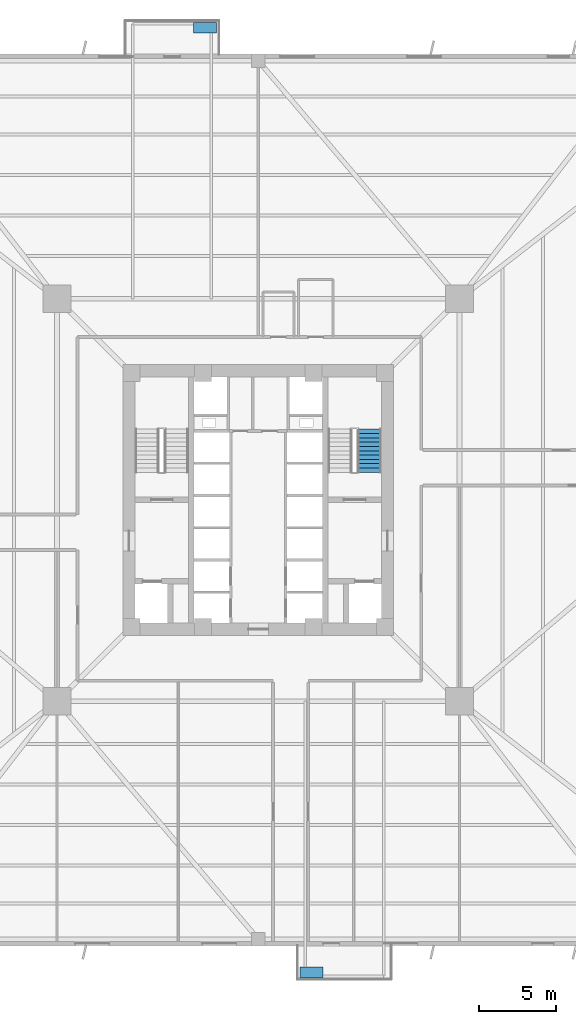
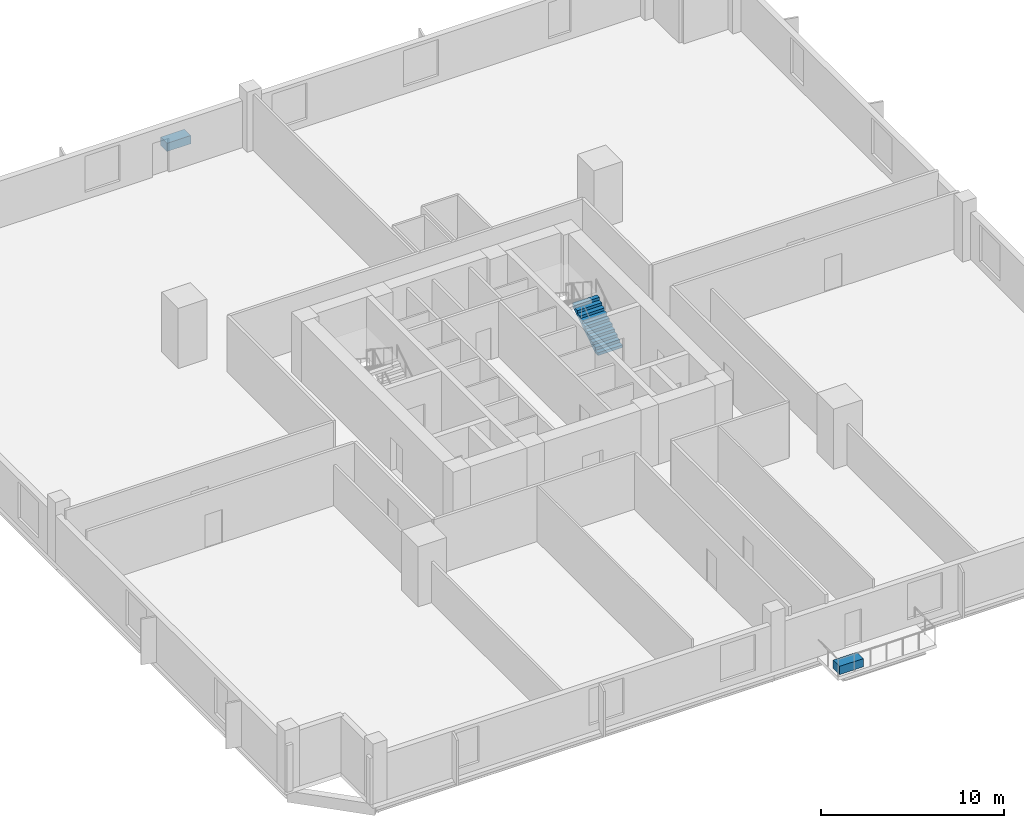
# One storey, part 5 of 8: 2 discrete accessories, 1 stair flight, 1 element without a shape of its own.
"""IFC4 building model written with IfcOpenShell, lengths in metres."""

from ifc_helpers import new_model, si_unit, direction, frame, origin, origin_2d, place, context, subcontext, project, spatial, polyline, rectangle, outline, extrude, source, transform, mapped, material, type_object, element, aggregate, save


model = new_model("IFC4")

# Units and contexts
model_context = context("Model", 3, precision=1e-05, world=origin(), true_north=direction((0.0, 1.0)))
body_context = subcontext(model_context, "Body", "Model", "MODEL_VIEW")
ifc_project = project(units=[si_unit("LENGTHUNIT", "METRE"), si_unit("AREAUNIT", "SQUARE_METRE"), si_unit("VOLUMEUNIT", "CUBIC_METRE"), si_unit("PLANEANGLEUNIT", "RADIAN"), si_unit("MASSUNIT", "GRAM", prefix="KILO"), si_unit("THERMODYNAMICTEMPERATUREUNIT", "KELVIN")], contexts=[model_context])

# Site, building, storey
site_placement = place(None, origin())
site = spatial("IfcSite", under=ifc_project, at=site_placement, CompositionType="ELEMENT")
building_placement = place(site_placement, origin())
building = spatial("IfcBuilding", under=site, at=building_placement, Name="Kosmvard Interchange Tower", CompositionType="ELEMENT")
storey_placement = place(building_placement, frame((0.0, 0.0, 50.0)))
storey = spatial("IfcBuildingStorey", under=building, at=storey_placement, Name="L11", CompositionType="ELEMENT", Elevation=50.0)

# Stair, stair flight
ifc_material_1 = material(Name="Concrete C50/60", Category="concrete")
stair_type = type_object("IfcStairType", Name="Dog-Leg Core Exit Stair H4000 C50/60", PredefinedType="HALF_TURN_STAIR", material=ifc_material_1)
stair_placement = place(storey_placement, origin())
stair = element("IfcStair", 1, at=stair_placement, inside=storey, type_object=stair_type, Name="L11 Protected Exit Stair ST-2", PredefinedType="HALF_TURN_STAIR")
stair_flight_type = type_object("IfcStairFlightType", Name="Core Stair Flight W1550 H4000 C50/60", PredefinedType="STRAIGHT", material=ifc_material_1)
shared_shape_1 = source(origin(), body_context, "Body", "SweptSolid", [
    extrude(outline(polyline([(0.0, 0.0), (0.0, 0.181884765625), (0.280029296875, 0.181884765625), (0.280029296875, 0.363525390625), (0.56005859375, 0.363525390625), (0.56005859375, 0.54541015625), (0.840087890625, 0.54541015625), (0.840087890625, 0.727294921875), (1.1201171875, 0.727294921875), (1.1201171875, 0.9091796875), (1.39990234375, 0.9091796875), (1.39990234375, 1.0908203125), (1.679931640625, 1.0908203125), (1.679931640625, 1.272705078125), (1.9599609375, 1.272705078125), (1.9599609375, 1.45458984375), (2.239990234375, 1.45458984375), (2.239990234375, 1.636474609375), (2.52001953125, 1.636474609375), (2.52001953125, 1.818115234375), (2.800048828125, 1.818115234375), (2.800048828125, 2.0), (2.800048828125, 1.62744140625), (0.293701171875, 0.0), (0.0, 0.0)])), frame((0.0, 0.77490234375, 0.0), z_axis=(0.0, -1.0, 0.0), x_axis=(1.0, 0.0, 0.0)), (0.0, 0.0, 1.0), 1.550048828125),
])
stair_flight_placement = place(storey_placement, frame((7.22509765625, 1.800048828125, 0.0), z_axis=(0.0, 0.0, 1.0), x_axis=(0.0, 1.0, 0.0)))
stair_flight = element("IfcStairFlight", 2, at=stair_flight_placement, type_object=stair_flight_type, Name="ST-2 flight 1", NumberOfRisers=11, NumberOfTreads=10, PredefinedType="STRAIGHT", RiserHeight=0.181818182, TreadLength=0.28, context=body_context, shape_type="MappedRepresentation", body=[
    mapped(shared_shape_1, transform((0.0, 0.0, 0.0), scale=1.0)),
])
aggregate(stair, [stair_flight])

# Discrete accessories
ifc_material_2 = material(Name="Terracotta precast planter concrete C45/55", Category="masonry")
discrete_accessory_type = type_object("IfcDiscreteAccessoryType", Name="Precast Tree-Balcony & Terrace Planter Box", PredefinedType="USERDEFINED", material=ifc_material_2)
shared_shape_2 = source(origin(), body_context, "Body", "SweptSolid", [
    extrude(rectangle(XDim=1.5, YDim=0.699951171875, at=origin_2d()), origin(), (0.0, 0.0, 1.0), 0.550048828125),
])
for number, where, z_axis, x_axis, name in (
    (3, (3.449951171875, -30.699951171875, 0.0), (0.0, 0.0, 1.0), (1.0, 0.0, 0.0), "L11 Balcony Tree Planter BAL-L11-SW"),
    (4, (-3.449951171875, 30.699951171875, 0.0), (0.0, 0.0, 1.0), (1.0, 0.0, 0.0), "L11 Balcony Tree Planter BAL-L11-NE"),
):
    element("IfcDiscreteAccessory", number, at=place(storey_placement, frame(where, z_axis=z_axis, x_axis=x_axis)), inside=storey, type_object=discrete_accessory_type, Name=name, ObjectType="PLANTER", PredefinedType="USERDEFINED", context=body_context, shape_type="MappedRepresentation", body=[
        mapped(shared_shape_2, transform((0.0, 0.0, 0.0), scale=1.0)),
    ])

save(model, "model.ifc")
